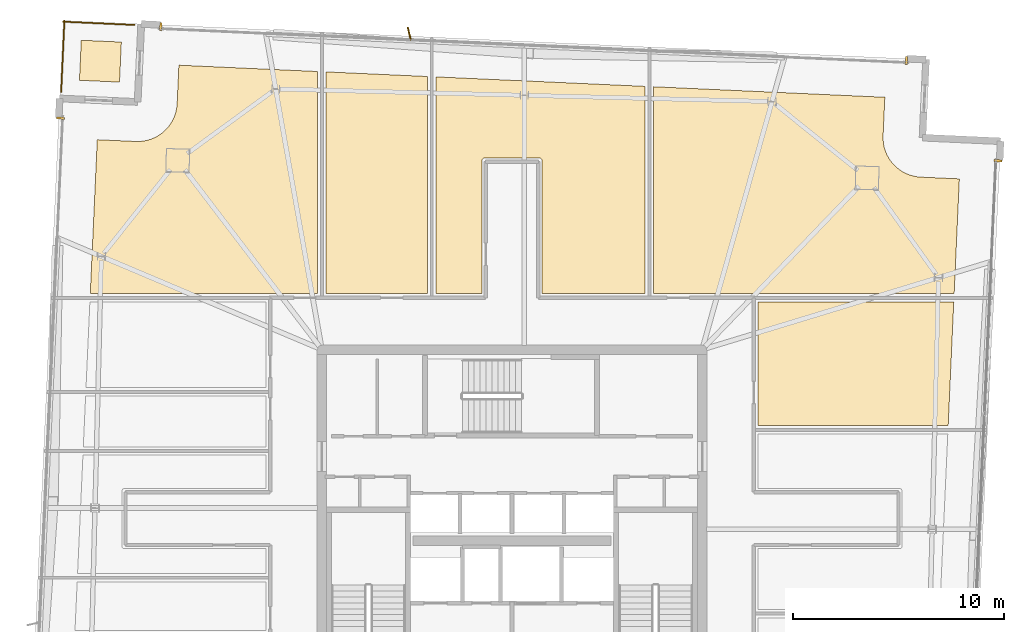
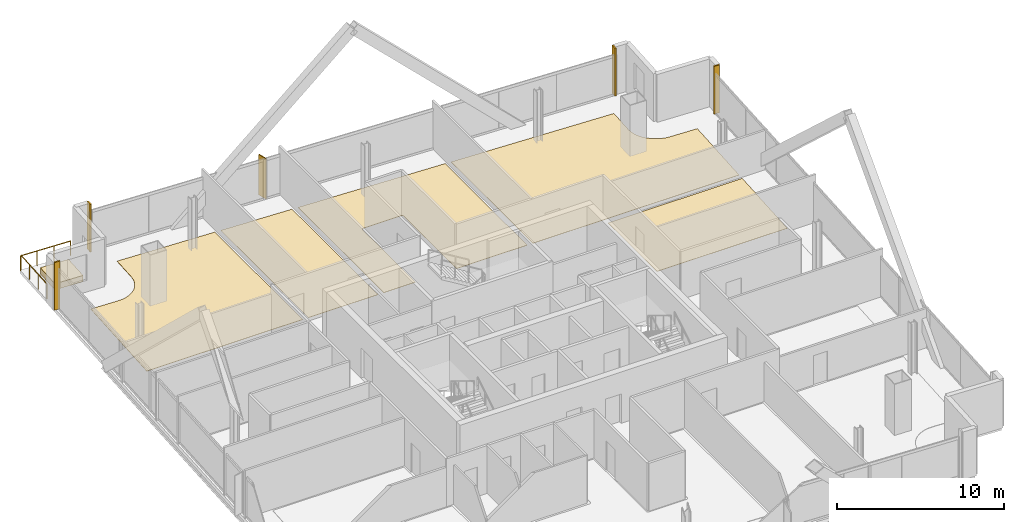
# One storey, part 26 of 26: 10 coverings, 2 railings, 1 shading device.
"""IFC4 building model written with IfcOpenShell, lengths in metres."""

from ifc_helpers import new_model, si_unit, direction, frame, origin, origin_2d, place, context, subcontext, project, spatial, polyline, rectangle, outline, extrude, source, transform, mapped, material, layer, layer_set, type_object, element, save


model = new_model("IFC4")

# Units and contexts
model_context = context("Model", 3, precision=1e-05, world=origin(), true_north=direction((0.0, 1.0)))
body_context = subcontext(model_context, "Body", "Model", "MODEL_VIEW")
ifc_project = project(units=[si_unit("LENGTHUNIT", "METRE"), si_unit("AREAUNIT", "SQUARE_METRE"), si_unit("VOLUMEUNIT", "CUBIC_METRE"), si_unit("PLANEANGLEUNIT", "RADIAN"), si_unit("MASSUNIT", "GRAM", prefix="KILO")], contexts=[model_context])

# Site, building, storey
site_placement = place(None, origin())
site = spatial("IfcSite", under=ifc_project, at=site_placement, CompositionType="ELEMENT")
building_placement = place(site_placement, origin())
building = spatial("IfcBuilding", under=site, at=building_placement, Name="Haldenkirk Collegiate Tower", CompositionType="ELEMENT")
storey_placement = place(building_placement, frame((0.0, 0.0, 321.449951171875)))
storey = spatial("IfcBuildingStorey", under=building, at=storey_placement, Name="L81", CompositionType="ELEMENT", Elevation=321.449951171875)

# Coverings
ifc_material_1 = material(Name="Polished collegiate terrazzo", Category="concrete")
ifc_layer_1 = layer(ifc_material_1, 0.02490234375)
ifc_layer_set_1 = layer_set([ifc_layer_1], Name="Polished collegiate terrazzo")
covering_type_1 = type_object("IfcCoveringType", Name="COV-FLOOR-TERRAZZO", PredefinedType="FLOORING", material=ifc_layer_set_1)
covering_1_placement = place(storey_placement, origin())
element("IfcCovering", 1, at=covering_1_placement, inside=storey, type_object=covering_type_1, Name="L81 academic room finish 04", PredefinedType="FLOORING", context=body_context, shape_type="SweptSolid", body=[
    extrude(outline(polyline([(18.191650390625, 43.856201171875), (18.197509765625, 43.856201171875), (18.369384765625, 43.856689453125), (18.381103515625, 43.857421875), (18.552001953125, 43.874755859375), (18.5634765625, 43.876708984375), (18.731689453125, 43.91064453125), (18.743408203125, 43.91357421875), (18.907470703125, 43.964111328125), (18.91845703125, 43.968017578125), (19.076904296875, 44.034423828125), (19.087646484375, 44.03955078125), (19.23876953125, 44.12109375), (19.248779296875, 44.127197265625), (19.39111328125, 44.22314453125), (19.400634765625, 44.22998046875), (19.532958984375, 44.339599609375), (19.541748046875, 44.347412109375), (19.66259765625, 44.469482421875), (19.67041015625, 44.47802734375), (19.779052734375, 44.611083984375), (19.7861328125, 44.620849609375), (19.880859375, 44.763916015625), (19.88671875, 44.77392578125), (19.96728515625, 44.92578125), (19.97216796875, 44.936279296875), (20.037353515625, 45.09521484375), (20.04150390625, 45.1064453125), (20.090576171875, 45.27099609375), (20.093505859375, 45.282470703125), (20.126220703125, 45.450927734375), (20.1279296875, 45.462646484375), (20.144287109375, 45.633544921875), (20.14453125, 45.639404296875), (20.2275390625, 47.467529296875), (26.800048828125, 47.169189453125), (26.800048828125, 36.64990234375), (16.03271484375, 36.64990234375), (16.363525390625, 43.939208984375), (18.191650390625, 43.856201171875)])), origin(), (0.0, 0.0, 1.0), 0.025146484375),
])
covering_2_placement = place(storey_placement, origin())
element("IfcCovering", 2, at=covering_2_placement, inside=storey, type_object=covering_type_1, Name="L81 academic room finish 06", PredefinedType="FLOORING", context=body_context, shape_type="SweptSolid", body=[
    extrude(outline(polyline([(42.300048828125, 46.46533203125), (42.300048828125, 36.64990234375), (37.419921875, 36.64990234375), (37.419921875, 42.949951171875), (37.41943359375, 42.9619140625), (37.417724609375, 42.973388671875), (37.414794921875, 42.98486328125), (37.410888671875, 42.995849609375), (37.40576171875, 43.006591796875), (37.39990234375, 43.0166015625), (37.392822265625, 43.026123046875), (37.385009765625, 43.034912109375), (37.376220703125, 43.042724609375), (37.36669921875, 43.0498046875), (37.356689453125, 43.055908203125), (37.345947265625, 43.060791015625), (37.334716796875, 43.064697265625), (37.323486328125, 43.067626953125), (37.311767578125, 43.0693359375), (37.300048828125, 43.070068359375), (34.699951171875, 43.070068359375), (34.688232421875, 43.0693359375), (34.676513671875, 43.067626953125), (34.665283203125, 43.064697265625), (34.654052734375, 43.060791015625), (34.643310546875, 43.055908203125), (34.63330078125, 43.0498046875), (34.623779296875, 43.042724609375), (34.614990234375, 43.034912109375), (34.607177734375, 43.026123046875), (34.60009765625, 43.0166015625), (34.59423828125, 43.006591796875), (34.589111328125, 42.995849609375), (34.585205078125, 42.98486328125), (34.582275390625, 42.973388671875), (34.58056640625, 42.9619140625), (34.580078125, 42.949951171875), (34.580078125, 36.64990234375), (32.39990234375, 36.64990234375), (32.39990234375, 46.914794921875), (42.300048828125, 46.46533203125)])), origin(), (0.0, 0.0, 1.0), 0.025146484375),
])
ifc_material_2 = material(Name="Engineered collegiate oak acoustic flooring", Category="wood")
ifc_layer_2 = layer(ifc_material_2, 0.02197265625)
ifc_layer_set_2 = layer_set([ifc_layer_2], Name="Engineered collegiate oak acoustic flooring")
covering_type_2 = type_object("IfcCoveringType", Name="COV-FLOOR-TIMBER", PredefinedType="FLOORING", material=ifc_layer_set_2)
covering_3_placement = place(storey_placement, origin())
element("IfcCovering", 3, at=covering_3_placement, inside=storey, type_object=covering_type_2, Name="L81 academic room finish 05", PredefinedType="FLOORING", context=body_context, shape_type="SweptSolid", body=[
    extrude(outline(polyline([(32.0, 46.93310546875), (32.0, 36.64990234375), (27.199951171875, 36.64990234375), (27.199951171875, 47.15087890625), (32.0, 46.93310546875)])), origin(), (0.0, 0.0, 1.0), 0.02197265625),
])
covering_4_placement = place(storey_placement, origin())
element("IfcCovering", 4, at=covering_4_placement, inside=storey, type_object=covering_type_2, Name="L81 academic room finish 07", PredefinedType="FLOORING", context=body_context, shape_type="SweptSolid", body=[
    extrude(outline(polyline([(53.6533203125, 45.94970703125), (53.570068359375, 44.12158203125), (53.570068359375, 44.11572265625), (53.570556640625, 43.944091796875), (53.5712890625, 43.932373046875), (53.588623046875, 43.761474609375), (53.590576171875, 43.749755859375), (53.62451171875, 43.58154296875), (53.62744140625, 43.570068359375), (53.677978515625, 43.406005859375), (53.681884765625, 43.39501953125), (53.748291015625, 43.236328125), (53.75341796875, 43.2255859375), (53.8349609375, 43.07470703125), (53.8408203125, 43.064697265625), (53.936767578125, 42.922119140625), (53.944091796875, 42.91259765625), (54.053466796875, 42.7802734375), (54.061279296875, 42.771484375), (54.183349609375, 42.650634765625), (54.19189453125, 42.642822265625), (54.3251953125, 42.5341796875), (54.334716796875, 42.527099609375), (54.477783203125, 42.432373046875), (54.48779296875, 42.426513671875), (54.6396484375, 42.34619140625), (54.650146484375, 42.341064453125), (54.80908203125, 42.27587890625), (54.8203125, 42.27197265625), (54.98486328125, 42.22265625), (54.996337890625, 42.219970703125), (55.164794921875, 42.18701171875), (55.176513671875, 42.185302734375), (55.347412109375, 42.169189453125), (55.353515625, 42.168701171875), (57.181396484375, 42.085693359375), (56.9345703125, 36.64990234375), (42.699951171875, 36.64990234375), (42.699951171875, 46.447021484375), (53.6533203125, 45.94970703125)])), origin(), (0.0, 0.0, 1.0), 0.02197265625),
])
covering_5_placement = place(storey_placement, origin())
element("IfcCovering", 5, at=covering_5_placement, inside=storey, type_object=covering_type_2, Name="L81 academic room finish 15", PredefinedType="FLOORING", context=body_context, shape_type="SweptSolid", body=[
    extrude(outline(polyline([(56.65087890625, 30.39990234375), (47.64990234375, 30.39990234375), (47.64990234375, 36.25), (56.91650390625, 36.25), (56.65087890625, 30.39990234375)])), origin(), (0.0, 0.0, 1.0), 0.02197265625),
])
ifc_material_3 = material(Name="Precast concrete f'c 40 MPa", Category="concrete")
ifc_layer_3 = layer(ifc_material_3, 0.449951171875)
ifc_layer_set_3 = layer_set([ifc_layer_3], Name="Precast concrete f'c 40 MPa")
covering_type_3 = type_object("IfcCoveringType", Name="COV-PLANTER-450", PredefinedType="USERDEFINED", material=ifc_layer_set_3)
covering_6_placement = place(storey_placement, origin())
element("IfcCovering", 6, at=covering_6_placement, inside=storey, type_object=covering_type_3, Name="L81 planted garden planter bed", ObjectType="PLANTER", PredefinedType="USERDEFINED", context=body_context, shape_type="SweptSolid", body=[
    extrude(outline(polyline([(17.418212890625, 46.664306640625), (15.520263671875, 46.75048828125), (15.6064453125, 48.6484375), (17.50439453125, 48.562255859375), (17.418212890625, 46.664306640625)])), origin(), (0.0, 0.0, 1.0), 0.449951171875),
])

# Railings
ifc_material_4 = material(Name="Anodised architectural bronze aluminium", Category="aluminium")
railing_type = type_object("IfcRailingType", Name="RLG-TERR-BALUSTRADE-1100", PredefinedType="BALUSTRADE", material=ifc_material_4)
railing_1_placement = place(storey_placement, frame((18.1220703125, 49.375, 0.0)))
element("IfcRailing", 7, at=railing_1_placement, inside=storey, type_object=railing_type, Name="L81 terrace guard balustrade 2-1", PredefinedType="BALUSTRADE", context=body_context, shape_type="SweptSolid", body=[
    extrude(rectangle(XDim=0.048095703125, YDim=0.048095703125, at=origin_2d()), frame((0.0, 0.0, 1.076171875), z_axis=(-0.998970624209, 0.045361789733, 0.0), x_axis=(-0.045361789733, -0.998970624209, 0.0)), (0.0, 0.0, 1.0), 3.3798828125),
    extrude(rectangle(XDim=0.0419921875, YDim=0.0419921875, at=origin_2d()), origin(), (0.0, 0.0, 1.0), 1.052001953125),
    extrude(rectangle(XDim=0.0419921875, YDim=0.0419921875, at=origin_2d()), frame((-1.12548828125, 0.051025390625, 0.0)), (0.0, 0.0, 1.0), 1.052001953125),
    extrude(rectangle(XDim=0.0419921875, YDim=0.0419921875, at=origin_2d()), frame((-2.2509765625, 0.102294921875, 0.0)), (0.0, 0.0, 1.0), 1.052001953125),
    extrude(rectangle(XDim=0.0419921875, YDim=0.0419921875, at=origin_2d()), frame((-3.37646484375, 0.1533203125, 0.0)), (0.0, 0.0, 1.0), 1.052001953125),
])
railing_2_placement = place(storey_placement, frame((14.80810546875, 49.585693359375, 0.0)))
element("IfcRailing", 8, at=railing_2_placement, inside=storey, type_object=railing_type, Name="L81 terrace guard balustrade 3-1", PredefinedType="BALUSTRADE", context=body_context, shape_type="SweptSolid", body=[
    extrude(rectangle(XDim=0.048095703125, YDim=0.048095703125, at=origin_2d()), frame((0.0, 0.0, 1.076171875), z_axis=(-0.045358516762, -0.998970772824, 0.0), x_axis=(0.998970772824, -0.045358516762, 0.0)), (0.0, 0.0, 1.0), 3.380126953125),
    extrude(rectangle(XDim=0.0419921875, YDim=0.0419921875, at=origin_2d()), origin(), (0.0, 0.0, 1.0), 1.052001953125),
    extrude(rectangle(XDim=0.0419921875, YDim=0.0419921875, at=origin_2d()), frame((-0.051025390625, -1.12548828125, 0.0)), (0.0, 0.0, 1.0), 1.052001953125),
    extrude(rectangle(XDim=0.0419921875, YDim=0.0419921875, at=origin_2d()), frame((-0.102294921875, -2.251220703125, 0.0)), (0.0, 0.0, 1.0), 1.052001953125),
    extrude(rectangle(XDim=0.0419921875, YDim=0.0419921875, at=origin_2d()), frame((-0.1533203125, -3.376708984375, 0.0)), (0.0, 0.0, 1.0), 1.052001953125),
])

# Coverings
ifc_layer_4 = layer(ifc_material_4, 0.06005859375)
ifc_layer_set_4 = layer_set([ifc_layer_4], Name="Anodised architectural bronze aluminium")
covering_type_4 = type_object("IfcCoveringType", Name="COV-CLAD-BRONZE-60", PredefinedType="CLADDING", material=ifc_layer_set_4)
shared_shape_1 = source(origin(), body_context, "Body", "SweptSolid", [
    extrude(rectangle(XDim=0.10009765625, YDim=0.3798828125, at=origin_2d()), origin(), (0.0, 0.0, 1.0), 3.489990234375),
])
for number, where, z_axis, x_axis, name in (
    (9, (59.002197265625, 42.94384765625, 0.0), (0.0, 0.0, 1.0), (-0.045362988129, -0.998970569791, 0.0), "L81 recessed curtain-wall bronze jamb closure SJL"),
    (10, (19.369384765625, 49.288330078125, 0.0), (0.0, 0.0, 1.0), (0.998970569791, -0.045362988129, 0.0), "L81 recessed curtain-wall bronze jamb closure EJL"),
    (11, (54.6728515625, 47.685302734375, 0.0), (0.0, 0.0, 1.0), (0.998970569791, -0.045362988129, 0.0), "L81 recessed curtain-wall bronze jamb closure EJR"),
    (12, (14.6279296875, 44.958984375, 0.0), (0.0, 0.0, 1.0), (0.045362988129, 0.998970569791, 0.0), "L81 recessed curtain-wall bronze jamb closure NJR"),
):
    element("IfcCovering", number, at=place(storey_placement, frame(where, z_axis=z_axis, x_axis=x_axis)), inside=storey, type_object=covering_type_4, Name=name, PredefinedType="CLADDING", context=body_context, shape_type="MappedRepresentation", body=[
        mapped(shared_shape_1, transform((0.0, 0.0, 0.0), x_axis=(1.0, 0.0, 0.0), y_axis=(0.0, 1.0, 0.0), z_axis=(0.0, 0.0, 1.0), scale=1.0)),
    ])

# Shading device
ifc_layer_5 = layer(ifc_material_4, 0.06494140625)
ifc_layer_set_5 = layer_set([ifc_layer_5], Name="Anodised architectural bronze aluminium")
shading_device_type = type_object("IfcShadingDeviceType", Name="SHD-FIN-BRONZE-620", PredefinedType="USERDEFINED", material=ifc_layer_set_5)
shared_shape_2 = source(origin(), body_context, "Body", "SweptSolid", [
    extrude(rectangle(XDim=0.6201171875, YDim=0.06494140625, at=origin_2d()), origin(), (0.0, 0.0, 1.0), 2.947998046875),
])
shading_device_placement = place(storey_placement, frame((31.136474609375, 48.959228515625, 0.0), z_axis=(0.0, 0.0, 1.0), x_axis=(-0.231747903494, 0.972775878209, 0.0)))
element("IfcShadingDevice", 13, at=shading_device_placement, inside=storey, type_object=shading_device_type, Name="L81 folded bronze solar fin 1", ObjectType="FIN", PredefinedType="USERDEFINED", context=body_context, shape_type="MappedRepresentation", body=[
    mapped(shared_shape_2, transform((0.0, 0.0, 0.0), x_axis=(1.0, 0.0, 0.0), y_axis=(0.0, 1.0, 0.0), z_axis=(0.0, 0.0, 1.0), scale=1.0)),
])

save(model, "model.ifc")
